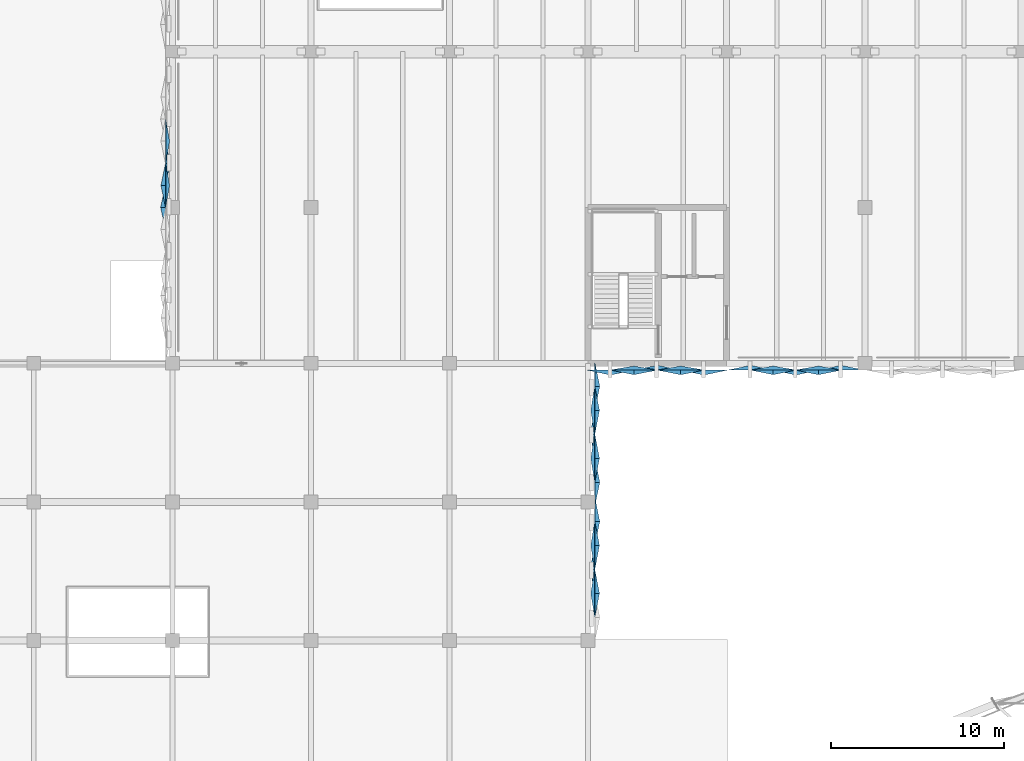
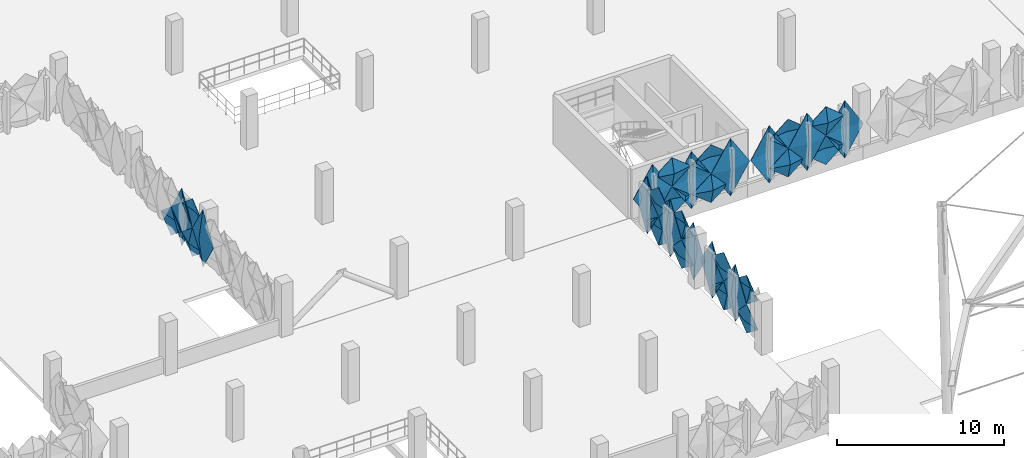
# One storey, part 65 of 96: 32 plates.
"""IFC4 building model written with IfcOpenShell, lengths in metres."""

from ifc_helpers import new_model, si_unit, derived_unit, direction, frame, origin, place, context, subcontext, project, spatial, polygons, material, layer, layer_set, type_object, element, save


model = new_model("IFC4")

# Units and contexts
model_context = context("Model", 3, precision=1e-05, world=origin(), true_north=direction((0.0, 1.0)))
body_context = subcontext(model_context, "Body", "Model", "MODEL_VIEW")
ifc_project = project(units=[si_unit("LENGTHUNIT", "METRE"), si_unit("AREAUNIT", "SQUARE_METRE"), si_unit("VOLUMEUNIT", "CUBIC_METRE"), si_unit("PLANEANGLEUNIT", "RADIAN"), si_unit("MASSUNIT", "GRAM", prefix="KILO"), si_unit("THERMODYNAMICTEMPERATUREUNIT", "KELVIN"), derived_unit("THERMALTRANSMITTANCEUNIT", [(si_unit("POWERUNIT", "WATT"), 1), (si_unit("AREAUNIT", "SQUARE_METRE"), -1), (si_unit("THERMODYNAMICTEMPERATUREUNIT", "KELVIN"), -1)])], contexts=[model_context])

# Site, building, storey
site_placement = place(None, origin())
site = spatial("IfcSite", under=ifc_project, at=site_placement, CompositionType="ELEMENT")
building_placement = place(site_placement, origin())
building = spatial("IfcBuilding", under=site, at=building_placement, Name="Haiyu Intermodal Mobility Hub", CompositionType="ELEMENT")
storey_placement = place(building_placement, frame((0.0, 0.0, 9.5)))
storey = spatial("IfcBuildingStorey", under=building, at=storey_placement, Name="L02", CompositionType="ELEMENT", Elevation=9.5)

# Plates
ifc_material = material(Name="Anodised aluminium 6063-T6", Category="aluminium")
ifc_layer_1 = layer(ifc_material, 0.01806640625)
ifc_layer_set_1 = layer_set([ifc_layer_1], Name="Anodised aluminium 6063-T6")
plate_type_1 = type_object("IfcPlateType", Name="PLT-FC01", PredefinedType="USERDEFINED", material=ifc_layer_set_1)
plate_1_placement = place(storey_placement, origin())
element("IfcPlate", 1, at=plate_1_placement, inside=storey, type_object=plate_type_1, Name="PLT-PYR-2047", ObjectType="FACADE CASSETTE", PredefinedType="USERDEFINED", context=body_context, shape_type="Tessellation", body=[
    polygons([(62.39990234375, 94.866943359375, -0.510009765625), (62.39990234375, 96.22998046875, 1.60009765625), (62.39990234375, 94.866943359375, 3.7099609375), (62.39990234375, 93.5029296875, 1.60009765625), (62.679931640625, 94.866943359375, 1.60009765625), (62.3779296875, 94.866943359375, -0.510009765625), (62.3779296875, 96.22998046875, 1.60009765625), (62.3779296875, 94.866943359375, 3.7099609375), (62.3779296875, 93.5029296875, 1.60009765625), (62.657958984375, 94.866943359375, 1.60009765625)], [[[1, 2, 5]], [[2, 3, 5]], [[3, 4, 5]], [[4, 1, 5]], [[7, 6, 10]], [[8, 7, 10]], [[9, 8, 10]], [[6, 9, 10]], [[1, 6, 7, 2]], [[2, 7, 8, 3]], [[3, 8, 9, 4]], [[4, 9, 6, 1]]], closed=True),
])
plate_2_placement = place(storey_placement, origin())
element("IfcPlate", 2, at=plate_2_placement, inside=storey, type_object=plate_type_1, Name="PLT-PYR-2054", ObjectType="FACADE CASSETTE", PredefinedType="USERDEFINED", context=body_context, shape_type="Tessellation", body=[
    polygons([(62.39990234375, 102.6669921875, -0.510009765625), (62.39990234375, 104.030029296875, 1.60009765625), (62.39990234375, 102.6669921875, 3.7099609375), (62.39990234375, 101.302978515625, 1.60009765625), (62.679931640625, 102.6669921875, 1.60009765625), (62.3779296875, 102.6669921875, -0.510009765625), (62.3779296875, 104.030029296875, 1.60009765625), (62.3779296875, 102.6669921875, 3.7099609375), (62.3779296875, 101.302978515625, 1.60009765625), (62.657958984375, 102.6669921875, 1.60009765625)], [[[1, 2, 5]], [[2, 3, 5]], [[3, 4, 5]], [[4, 1, 5]], [[7, 6, 10]], [[8, 7, 10]], [[9, 8, 10]], [[6, 9, 10]], [[1, 6, 7, 2]], [[2, 7, 8, 3]], [[3, 8, 9, 4]], [[4, 9, 6, 1]]], closed=True),
])
plate_3_placement = place(storey_placement, origin())
element("IfcPlate", 3, at=plate_3_placement, inside=storey, type_object=plate_type_1, Name="PLT-PYR-2210", ObjectType="FACADE CASSETTE", PredefinedType="USERDEFINED", context=body_context, shape_type="Tessellation", body=[
    polygons([(68.699951171875, 103.60009765625, -0.510009765625), (70.030029296875, 103.60009765625, 1.60009765625), (68.699951171875, 103.60009765625, 3.7099609375), (67.3701171875, 103.60009765625, 1.60009765625), (68.699951171875, 103.320068359375, 1.60009765625), (68.699951171875, 103.6220703125, -0.510009765625), (70.030029296875, 103.6220703125, 1.60009765625), (68.699951171875, 103.6220703125, 3.7099609375), (67.3701171875, 103.6220703125, 1.60009765625), (68.699951171875, 103.342041015625, 1.60009765625)], [[[1, 2, 5]], [[2, 3, 5]], [[3, 4, 5]], [[4, 1, 5]], [[7, 6, 10]], [[8, 7, 10]], [[9, 8, 10]], [[6, 9, 10]], [[1, 6, 7, 2]], [[2, 7, 8, 3]], [[3, 8, 9, 4]], [[4, 9, 6, 1]]], closed=True),
])
ifc_layer_2 = layer(ifc_material, 0.02001953125)
ifc_layer_set_2 = layer_set([ifc_layer_2], Name="Anodised aluminium 6063-T6")
plate_type_2 = type_object("IfcPlateType", Name="PLT-FC02", PredefinedType="USERDEFINED", material=ifc_layer_set_2)
plate_4_placement = place(storey_placement, origin())
element("IfcPlate", 4, at=plate_4_placement, inside=storey, type_object=plate_type_2, Name="PLT-PYR-0546", ObjectType="FACADE CASSETTE", PredefinedType="USERDEFINED", context=body_context, shape_type="Tessellation", body=[
    polygons([(37.60009765625, 115.549072265625, -0.510009765625), (37.60009765625, 114.2939453125, 1.60009765625), (37.60009765625, 115.549072265625, 3.7099609375), (37.60009765625, 116.802978515625, 1.60009765625), (37.860107421875, 115.549072265625, 1.60009765625), (37.6220703125, 115.549072265625, -0.510009765625), (37.6220703125, 114.2939453125, 1.60009765625), (37.6220703125, 115.549072265625, 3.7099609375), (37.6220703125, 116.802978515625, 1.60009765625), (37.882080078125, 115.549072265625, 1.60009765625)], [[[1, 2, 5]], [[2, 3, 5]], [[3, 4, 5]], [[4, 1, 5]], [[7, 6, 10]], [[8, 7, 10]], [[9, 8, 10]], [[6, 9, 10]], [[1, 6, 7, 2]], [[2, 7, 8, 3]], [[3, 8, 9, 4]], [[4, 9, 6, 1]]], closed=True),
])
plate_5_placement = place(storey_placement, origin())
element("IfcPlate", 5, at=plate_5_placement, inside=storey, type_object=plate_type_2, Name="PLT-PYR-0760", ObjectType="FACADE CASSETTE", PredefinedType="USERDEFINED", context=body_context, shape_type="Tessellation", body=[
    polygons([(76.613037109375, 103.60009765625, -0.510009765625), (77.89990234375, 103.60009765625, 1.60009765625), (76.613037109375, 103.60009765625, 3.7099609375), (75.326904296875, 103.60009765625, 1.60009765625), (76.613037109375, 103.860107421875, 1.60009765625), (76.613037109375, 103.6220703125, -0.510009765625), (77.89990234375, 103.6220703125, 1.60009765625), (76.613037109375, 103.6220703125, 3.7099609375), (75.326904296875, 103.6220703125, 1.60009765625), (76.613037109375, 103.882080078125, 1.60009765625)], [[[1, 2, 5]], [[2, 3, 5]], [[3, 4, 5]], [[4, 1, 5]], [[7, 6, 10]], [[8, 7, 10]], [[9, 8, 10]], [[6, 9, 10]], [[1, 6, 7, 2]], [[2, 7, 8, 3]], [[3, 8, 9, 4]], [[4, 9, 6, 1]]], closed=True),
])
ifc_layer_3 = layer(ifc_material, 0.01806640625)
ifc_layer_set_3 = layer_set([ifc_layer_3], Name="Anodised aluminium 6063-T6")
plate_type_3 = type_object("IfcPlateType", Name="PLT-FC03", PredefinedType="USERDEFINED", material=ifc_layer_set_3)
plate_6_placement = place(storey_placement, origin())
element("IfcPlate", 6, at=plate_6_placement, inside=storey, type_object=plate_type_3, Name="PLT-PYR-0549", ObjectType="FACADE CASSETTE", PredefinedType="USERDEFINED", context=body_context, shape_type="Tessellation", body=[
    polygons([(37.60009765625, 113.0, -0.510009765625), (37.60009765625, 111.74609375, 1.60009765625), (37.60009765625, 113.0, 3.7099609375), (37.60009765625, 114.25390625, 1.60009765625), (37.320068359375, 113.0, 1.60009765625), (37.6220703125, 113.0, -0.510009765625), (37.6220703125, 111.74609375, 1.60009765625), (37.6220703125, 113.0, 3.7099609375), (37.6220703125, 114.25390625, 1.60009765625), (37.342041015625, 113.0, 1.60009765625)], [[[1, 2, 5]], [[2, 3, 5]], [[3, 4, 5]], [[4, 1, 5]], [[7, 6, 10]], [[8, 7, 10]], [[9, 8, 10]], [[6, 9, 10]], [[1, 6, 7, 2]], [[2, 7, 8, 3]], [[3, 8, 9, 4]], [[4, 9, 6, 1]]], closed=True),
])
ifc_layer_4 = layer(ifc_material, 0.01806640625)
ifc_layer_set_4 = layer_set([ifc_layer_4], Name="Anodised aluminium 6063-T6")
plate_type_4 = type_object("IfcPlateType", Name="PLT-FC05", PredefinedType="USERDEFINED", material=ifc_layer_set_4)
plate_7_placement = place(storey_placement, origin())
element("IfcPlate", 7, at=plate_7_placement, inside=storey, type_object=plate_type_4, Name="PLT-PYR-0547", ObjectType="FACADE CASSETTE", PredefinedType="USERDEFINED", context=body_context, shape_type="Tessellation", body=[
    polygons([(37.60009765625, 114.27392578125, -0.52001953125), (37.60009765625, 113.02001953125, 0.530029296875), (37.60009765625, 114.27392578125, 1.580078125), (37.60009765625, 115.529052734375, 0.530029296875), (37.340087890625, 114.27392578125, 0.530029296875), (37.6220703125, 114.27392578125, -0.52001953125), (37.6220703125, 113.02001953125, 0.530029296875), (37.6220703125, 114.27392578125, 1.580078125), (37.6220703125, 115.529052734375, 0.530029296875), (37.362060546875, 114.27392578125, 0.530029296875)], [[[1, 2, 5]], [[2, 3, 5]], [[3, 4, 5]], [[4, 1, 5]], [[7, 6, 10]], [[8, 7, 10]], [[9, 8, 10]], [[6, 9, 10]], [[1, 6, 7, 2]], [[2, 7, 8, 3]], [[3, 8, 9, 4]], [[4, 9, 6, 1]]], closed=True),
])
plate_8_placement = place(storey_placement, origin())
element("IfcPlate", 8, at=plate_8_placement, inside=storey, type_object=plate_type_4, Name="PLT-PYR-0755", ObjectType="FACADE CASSETTE", PredefinedType="USERDEFINED", context=body_context, shape_type="Tessellation", body=[
    polygons([(72.693115234375, 103.60009765625, -0.52001953125), (73.97998046875, 103.60009765625, 0.530029296875), (72.693115234375, 103.60009765625, 1.580078125), (71.406982421875, 103.60009765625, 0.530029296875), (72.693115234375, 103.340087890625, 0.530029296875), (72.693115234375, 103.6220703125, -0.52001953125), (73.97998046875, 103.6220703125, 0.530029296875), (72.693115234375, 103.6220703125, 1.580078125), (71.406982421875, 103.6220703125, 0.530029296875), (72.693115234375, 103.362060546875, 0.530029296875)], [[[1, 2, 5]], [[2, 3, 5]], [[3, 4, 5]], [[4, 1, 5]], [[7, 6, 10]], [[8, 7, 10]], [[9, 8, 10]], [[6, 9, 10]], [[1, 6, 7, 2]], [[2, 7, 8, 3]], [[3, 8, 9, 4]], [[4, 9, 6, 1]]], closed=True),
])
plate_9_placement = place(storey_placement, origin())
element("IfcPlate", 9, at=plate_9_placement, inside=storey, type_object=plate_type_4, Name="PLT-PYR-2045", ObjectType="FACADE CASSETTE", PredefinedType="USERDEFINED", context=body_context, shape_type="Tessellation", body=[
    polygons([(62.39990234375, 93.48291015625, -0.52001953125), (62.39990234375, 94.846923828125, 0.530029296875), (62.39990234375, 93.48291015625, 1.580078125), (62.39990234375, 92.1201171875, 0.530029296875), (62.659912109375, 93.48291015625, 0.530029296875), (62.3779296875, 93.48291015625, -0.52001953125), (62.3779296875, 94.846923828125, 0.530029296875), (62.3779296875, 93.48291015625, 1.580078125), (62.3779296875, 92.1201171875, 0.530029296875), (62.637939453125, 93.48291015625, 0.530029296875)], [[[1, 2, 5]], [[2, 3, 5]], [[3, 4, 5]], [[4, 1, 5]], [[7, 6, 10]], [[8, 7, 10]], [[9, 8, 10]], [[6, 9, 10]], [[1, 6, 7, 2]], [[2, 7, 8, 3]], [[3, 8, 9, 4]], [[4, 9, 6, 1]]], closed=True),
])
plate_10_placement = place(storey_placement, origin())
element("IfcPlate", 10, at=plate_10_placement, inside=storey, type_object=plate_type_4, Name="PLT-PYR-2048", ObjectType="FACADE CASSETTE", PredefinedType="USERDEFINED", context=body_context, shape_type="Tessellation", body=[
    polygons([(62.39990234375, 97.133056640625, -0.510009765625), (62.39990234375, 98.4970703125, 1.60009765625), (62.39990234375, 97.133056640625, 3.7099609375), (62.39990234375, 95.77001953125, 1.60009765625), (62.679931640625, 97.133056640625, 1.60009765625), (62.3779296875, 97.133056640625, -0.510009765625), (62.3779296875, 98.4970703125, 1.60009765625), (62.3779296875, 97.133056640625, 3.7099609375), (62.3779296875, 95.77001953125, 1.60009765625), (62.657958984375, 97.133056640625, 1.60009765625)], [[[1, 2, 5]], [[2, 3, 5]], [[3, 4, 5]], [[4, 1, 5]], [[7, 6, 10]], [[8, 7, 10]], [[9, 8, 10]], [[6, 9, 10]], [[1, 6, 7, 2]], [[2, 7, 8, 3]], [[3, 8, 9, 4]], [[4, 9, 6, 1]]], closed=True),
])
plate_11_placement = place(storey_placement, origin())
element("IfcPlate", 11, at=plate_11_placement, inside=storey, type_object=plate_type_4, Name="PLT-PYR-2052", ObjectType="FACADE CASSETTE", PredefinedType="USERDEFINED", context=body_context, shape_type="Tessellation", body=[
    polygons([(62.39990234375, 101.282958984375, -0.52001953125), (62.39990234375, 102.64697265625, 0.530029296875), (62.39990234375, 101.282958984375, 1.580078125), (62.39990234375, 99.919921875, 0.530029296875), (62.659912109375, 101.282958984375, 0.530029296875), (62.3779296875, 101.282958984375, -0.52001953125), (62.3779296875, 102.64697265625, 0.530029296875), (62.3779296875, 101.282958984375, 1.580078125), (62.3779296875, 99.919921875, 0.530029296875), (62.637939453125, 101.282958984375, 0.530029296875)], [[[1, 2, 5]], [[2, 3, 5]], [[3, 4, 5]], [[4, 1, 5]], [[7, 6, 10]], [[8, 7, 10]], [[9, 8, 10]], [[6, 9, 10]], [[1, 6, 7, 2]], [[2, 7, 8, 3]], [[3, 8, 9, 4]], [[4, 9, 6, 1]]], closed=True),
])
plate_12_placement = place(storey_placement, origin())
element("IfcPlate", 12, at=plate_12_placement, inside=storey, type_object=plate_type_4, Name="PLT-PYR-2204", ObjectType="FACADE CASSETTE", PredefinedType="USERDEFINED", context=body_context, shape_type="Tessellation", body=[
    polygons([(63.300048828125, 103.60009765625, -0.510009765625), (64.6298828125, 103.60009765625, 1.60009765625), (63.300048828125, 103.60009765625, 3.7099609375), (61.969970703125, 103.60009765625, 1.60009765625), (63.300048828125, 103.320068359375, 1.60009765625), (63.300048828125, 103.6220703125, -0.510009765625), (64.6298828125, 103.6220703125, 1.60009765625), (63.300048828125, 103.6220703125, 3.7099609375), (61.969970703125, 103.6220703125, 1.60009765625), (63.300048828125, 103.342041015625, 1.60009765625)], [[[1, 2, 5]], [[2, 3, 5]], [[3, 4, 5]], [[4, 1, 5]], [[7, 6, 10]], [[8, 7, 10]], [[9, 8, 10]], [[6, 9, 10]], [[1, 6, 7, 2]], [[2, 7, 8, 3]], [[3, 8, 9, 4]], [[4, 9, 6, 1]]], closed=True),
])
plate_13_placement = place(storey_placement, origin())
element("IfcPlate", 13, at=plate_13_placement, inside=storey, type_object=plate_type_4, Name="PLT-PYR-2208", ObjectType="FACADE CASSETTE", PredefinedType="USERDEFINED", context=body_context, shape_type="Tessellation", body=[
    polygons([(67.35009765625, 103.60009765625, -0.52001953125), (68.679931640625, 103.60009765625, 0.530029296875), (67.35009765625, 103.60009765625, 1.580078125), (66.02001953125, 103.60009765625, 0.530029296875), (67.35009765625, 103.340087890625, 0.530029296875), (67.35009765625, 103.6220703125, -0.52001953125), (68.679931640625, 103.6220703125, 0.530029296875), (67.35009765625, 103.6220703125, 1.580078125), (66.02001953125, 103.6220703125, 0.530029296875), (67.35009765625, 103.362060546875, 0.530029296875)], [[[1, 2, 5]], [[2, 3, 5]], [[3, 4, 5]], [[4, 1, 5]], [[7, 6, 10]], [[8, 7, 10]], [[9, 8, 10]], [[6, 9, 10]], [[1, 6, 7, 2]], [[2, 7, 8, 3]], [[3, 8, 9, 4]], [[4, 9, 6, 1]]], closed=True),
])
ifc_layer_5 = layer(ifc_material, 0.02001953125)
ifc_layer_set_5 = layer_set([ifc_layer_5], Name="Anodised aluminium 6063-T6")
plate_type_5 = type_object("IfcPlateType", Name="PLT-FC06", PredefinedType="USERDEFINED", material=ifc_layer_set_5)
plate_14_placement = place(storey_placement, origin())
element("IfcPlate", 14, at=plate_14_placement, inside=storey, type_object=plate_type_5, Name="PLT-PYR-0544", ObjectType="FACADE CASSETTE", PredefinedType="USERDEFINED", context=body_context, shape_type="Tessellation", body=[
    polygons([(37.60009765625, 116.822998046875, -0.52001953125), (37.60009765625, 115.569091796875, 0.530029296875), (37.60009765625, 116.822998046875, 1.580078125), (37.60009765625, 118.076904296875, 0.530029296875), (37.820068359375, 116.822998046875, 0.530029296875), (37.6220703125, 116.822998046875, -0.52001953125), (37.6220703125, 115.569091796875, 0.530029296875), (37.6220703125, 116.822998046875, 1.580078125), (37.6220703125, 118.076904296875, 0.530029296875), (37.842041015625, 116.822998046875, 0.530029296875)], [[[1, 2, 5]], [[2, 3, 5]], [[3, 4, 5]], [[4, 1, 5]], [[7, 6, 10]], [[8, 7, 10]], [[9, 8, 10]], [[6, 9, 10]], [[1, 6, 7, 2]], [[2, 7, 8, 3]], [[3, 8, 9, 4]], [[4, 9, 6, 1]]], closed=True),
])
plate_15_placement = place(storey_placement, origin())
element("IfcPlate", 15, at=plate_15_placement, inside=storey, type_object=plate_type_5, Name="PLT-PYR-0754", ObjectType="FACADE CASSETTE", PredefinedType="USERDEFINED", context=body_context, shape_type="Tessellation", body=[
    polygons([(71.386962890625, 103.60009765625, -0.510009765625), (72.673095703125, 103.60009765625, 1.60009765625), (71.386962890625, 103.60009765625, 3.7099609375), (70.10009765625, 103.60009765625, 1.60009765625), (71.386962890625, 103.860107421875, 1.60009765625), (71.386962890625, 103.6220703125, -0.510009765625), (72.673095703125, 103.6220703125, 1.60009765625), (71.386962890625, 103.6220703125, 3.7099609375), (70.10009765625, 103.6220703125, 1.60009765625), (71.386962890625, 103.882080078125, 1.60009765625)], [[[1, 2, 5]], [[2, 3, 5]], [[3, 4, 5]], [[4, 1, 5]], [[7, 6, 10]], [[8, 7, 10]], [[9, 8, 10]], [[6, 9, 10]], [[1, 6, 7, 2]], [[2, 7, 8, 3]], [[3, 8, 9, 4]], [[4, 9, 6, 1]]], closed=True),
])
plate_16_placement = place(storey_placement, origin())
element("IfcPlate", 16, at=plate_16_placement, inside=storey, type_object=plate_type_5, Name="PLT-PYR-0758", ObjectType="FACADE CASSETTE", PredefinedType="USERDEFINED", context=body_context, shape_type="Tessellation", body=[
    polygons([(75.306884765625, 103.60009765625, -0.52001953125), (76.593017578125, 103.60009765625, 0.530029296875), (75.306884765625, 103.60009765625, 1.580078125), (74.02001953125, 103.60009765625, 0.530029296875), (75.306884765625, 103.820068359375, 0.530029296875), (75.306884765625, 103.6220703125, -0.52001953125), (76.593017578125, 103.6220703125, 0.530029296875), (75.306884765625, 103.6220703125, 1.580078125), (74.02001953125, 103.6220703125, 0.530029296875), (75.306884765625, 103.842041015625, 0.530029296875)], [[[1, 2, 5]], [[2, 3, 5]], [[3, 4, 5]], [[4, 1, 5]], [[7, 6, 10]], [[8, 7, 10]], [[9, 8, 10]], [[6, 9, 10]], [[1, 6, 7, 2]], [[2, 7, 8, 3]], [[3, 8, 9, 4]], [[4, 9, 6, 1]]], closed=True),
])
plate_17_placement = place(storey_placement, origin())
element("IfcPlate", 17, at=plate_17_placement, inside=storey, type_object=plate_type_5, Name="PLT-PYR-2042", ObjectType="FACADE CASSETTE", PredefinedType="USERDEFINED", context=body_context, shape_type="Tessellation", body=[
    polygons([(62.39990234375, 90.717041015625, -0.52001953125), (62.39990234375, 92.080078125, 0.530029296875), (62.39990234375, 90.717041015625, 1.580078125), (62.39990234375, 89.35302734375, 0.530029296875), (62.179931640625, 90.717041015625, 0.530029296875), (62.3779296875, 90.717041015625, -0.52001953125), (62.3779296875, 92.080078125, 0.530029296875), (62.3779296875, 90.717041015625, 1.580078125), (62.3779296875, 89.35302734375, 0.530029296875), (62.157958984375, 90.717041015625, 0.530029296875)], [[[1, 2, 5]], [[2, 3, 5]], [[3, 4, 5]], [[4, 1, 5]], [[7, 6, 10]], [[8, 7, 10]], [[9, 8, 10]], [[6, 9, 10]], [[1, 6, 7, 2]], [[2, 7, 8, 3]], [[3, 8, 9, 4]], [[4, 9, 6, 1]]], closed=True),
])
plate_18_placement = place(storey_placement, origin())
element("IfcPlate", 18, at=plate_18_placement, inside=storey, type_object=plate_type_5, Name="PLT-PYR-2049", ObjectType="FACADE CASSETTE", PredefinedType="USERDEFINED", context=body_context, shape_type="Tessellation", body=[
    polygons([(62.39990234375, 98.51708984375, -0.52001953125), (62.39990234375, 99.8798828125, 0.530029296875), (62.39990234375, 98.51708984375, 1.580078125), (62.39990234375, 97.153076171875, 0.530029296875), (62.179931640625, 98.51708984375, 0.530029296875), (62.3779296875, 98.51708984375, -0.52001953125), (62.3779296875, 99.8798828125, 0.530029296875), (62.3779296875, 98.51708984375, 1.580078125), (62.3779296875, 97.153076171875, 0.530029296875), (62.157958984375, 98.51708984375, 0.530029296875)], [[[1, 2, 5]], [[2, 3, 5]], [[3, 4, 5]], [[4, 1, 5]], [[7, 6, 10]], [[8, 7, 10]], [[9, 8, 10]], [[6, 9, 10]], [[1, 6, 7, 2]], [[2, 7, 8, 3]], [[3, 8, 9, 4]], [[4, 9, 6, 1]]], closed=True),
])
plate_19_placement = place(storey_placement, origin())
element("IfcPlate", 19, at=plate_19_placement, inside=storey, type_object=plate_type_5, Name="PLT-PYR-2205", ObjectType="FACADE CASSETTE", PredefinedType="USERDEFINED", context=body_context, shape_type="Tessellation", body=[
    polygons([(64.64990234375, 103.60009765625, -0.52001953125), (65.97998046875, 103.60009765625, 0.530029296875), (64.64990234375, 103.60009765625, 1.580078125), (63.320068359375, 103.60009765625, 0.530029296875), (64.64990234375, 103.820068359375, 0.530029296875), (64.64990234375, 103.6220703125, -0.52001953125), (65.97998046875, 103.6220703125, 0.530029296875), (64.64990234375, 103.6220703125, 1.580078125), (63.320068359375, 103.6220703125, 0.530029296875), (64.64990234375, 103.842041015625, 0.530029296875)], [[[1, 2, 5]], [[2, 3, 5]], [[3, 4, 5]], [[4, 1, 5]], [[7, 6, 10]], [[8, 7, 10]], [[9, 8, 10]], [[6, 9, 10]], [[1, 6, 7, 2]], [[2, 7, 8, 3]], [[3, 8, 9, 4]], [[4, 9, 6, 1]]], closed=True),
])
ifc_layer_6 = layer(ifc_material, 0.02197265625)
ifc_layer_set_6 = layer_set([ifc_layer_6], Name="Anodised aluminium 6063-T6")
plate_type_6 = type_object("IfcPlateType", Name="PLT-FC07", PredefinedType="USERDEFINED", material=ifc_layer_set_6)
plate_20_placement = place(storey_placement, origin())
element("IfcPlate", 20, at=plate_20_placement, inside=storey, type_object=plate_type_6, Name="PLT-PYR-0757", ObjectType="FACADE CASSETTE", PredefinedType="USERDEFINED", context=body_context, shape_type="Tessellation", body=[
    polygons([(74.0, 103.60009765625, -0.510009765625), (75.287109375, 103.60009765625, 1.60009765625), (74.0, 103.60009765625, 3.7099609375), (72.712890625, 103.60009765625, 1.60009765625), (74.0, 103.320068359375, 1.60009765625), (74.0, 103.6220703125, -0.510009765625), (75.287109375, 103.6220703125, 1.60009765625), (74.0, 103.6220703125, 3.7099609375), (72.712890625, 103.6220703125, 1.60009765625), (74.0, 103.342041015625, 1.60009765625)], [[[1, 2, 5]], [[2, 3, 5]], [[3, 4, 5]], [[4, 1, 5]], [[7, 6, 10]], [[8, 7, 10]], [[9, 8, 10]], [[6, 9, 10]], [[1, 6, 7, 2]], [[2, 7, 8, 3]], [[3, 8, 9, 4]], [[4, 9, 6, 1]]], closed=True),
])
plate_21_placement = place(storey_placement, origin())
element("IfcPlate", 21, at=plate_21_placement, inside=storey, type_object=plate_type_6, Name="PLT-PYR-0759", ObjectType="FACADE CASSETTE", PredefinedType="USERDEFINED", context=body_context, shape_type="Tessellation", body=[
    polygons([(75.306884765625, 103.60009765625, 1.6201171875), (76.593017578125, 103.60009765625, 2.669921875), (75.306884765625, 103.60009765625, 3.719970703125), (74.02001953125, 103.60009765625, 2.669921875), (75.306884765625, 103.340087890625, 2.669921875), (75.306884765625, 103.6220703125, 1.6201171875), (76.593017578125, 103.6220703125, 2.669921875), (75.306884765625, 103.6220703125, 3.719970703125), (74.02001953125, 103.6220703125, 2.669921875), (75.306884765625, 103.362060546875, 2.669921875)], [[[1, 2, 5]], [[2, 3, 5]], [[3, 4, 5]], [[4, 1, 5]], [[7, 6, 10]], [[8, 7, 10]], [[9, 8, 10]], [[6, 9, 10]], [[1, 6, 7, 2]], [[2, 7, 8, 3]], [[3, 8, 9, 4]], [[4, 9, 6, 1]]], closed=True),
])
plate_22_placement = place(storey_placement, origin())
element("IfcPlate", 22, at=plate_22_placement, inside=storey, type_object=plate_type_6, Name="PLT-PYR-2043", ObjectType="FACADE CASSETTE", PredefinedType="USERDEFINED", context=body_context, shape_type="Tessellation", body=[
    polygons([(62.39990234375, 90.717041015625, 1.6201171875), (62.39990234375, 92.080078125, 2.669921875), (62.39990234375, 90.717041015625, 3.719970703125), (62.39990234375, 89.35302734375, 2.669921875), (62.659912109375, 90.717041015625, 2.669921875), (62.3779296875, 90.717041015625, 1.6201171875), (62.3779296875, 92.080078125, 2.669921875), (62.3779296875, 90.717041015625, 3.719970703125), (62.3779296875, 89.35302734375, 2.669921875), (62.637939453125, 90.717041015625, 2.669921875)], [[[1, 2, 5]], [[2, 3, 5]], [[3, 4, 5]], [[4, 1, 5]], [[7, 6, 10]], [[8, 7, 10]], [[9, 8, 10]], [[6, 9, 10]], [[1, 6, 7, 2]], [[2, 7, 8, 3]], [[3, 8, 9, 4]], [[4, 9, 6, 1]]], closed=True),
])
plate_23_placement = place(storey_placement, origin())
element("IfcPlate", 23, at=plate_23_placement, inside=storey, type_object=plate_type_6, Name="PLT-PYR-2050", ObjectType="FACADE CASSETTE", PredefinedType="USERDEFINED", context=body_context, shape_type="Tessellation", body=[
    polygons([(62.39990234375, 98.51708984375, 1.6201171875), (62.39990234375, 99.8798828125, 2.669921875), (62.39990234375, 98.51708984375, 3.719970703125), (62.39990234375, 97.153076171875, 2.669921875), (62.659912109375, 98.51708984375, 2.669921875), (62.3779296875, 98.51708984375, 1.6201171875), (62.3779296875, 99.8798828125, 2.669921875), (62.3779296875, 98.51708984375, 3.719970703125), (62.3779296875, 97.153076171875, 2.669921875), (62.637939453125, 98.51708984375, 2.669921875)], [[[1, 2, 5]], [[2, 3, 5]], [[3, 4, 5]], [[4, 1, 5]], [[7, 6, 10]], [[8, 7, 10]], [[9, 8, 10]], [[6, 9, 10]], [[1, 6, 7, 2]], [[2, 7, 8, 3]], [[3, 8, 9, 4]], [[4, 9, 6, 1]]], closed=True),
])
plate_24_placement = place(storey_placement, origin())
element("IfcPlate", 24, at=plate_24_placement, inside=storey, type_object=plate_type_6, Name="PLT-PYR-2206", ObjectType="FACADE CASSETTE", PredefinedType="USERDEFINED", context=body_context, shape_type="Tessellation", body=[
    polygons([(64.64990234375, 103.60009765625, 1.6201171875), (65.97998046875, 103.60009765625, 2.669921875), (64.64990234375, 103.60009765625, 3.719970703125), (63.320068359375, 103.60009765625, 2.669921875), (64.64990234375, 103.340087890625, 2.669921875), (64.64990234375, 103.6220703125, 1.6201171875), (65.97998046875, 103.6220703125, 2.669921875), (64.64990234375, 103.6220703125, 3.719970703125), (63.320068359375, 103.6220703125, 2.669921875), (64.64990234375, 103.362060546875, 2.669921875)], [[[1, 2, 5]], [[2, 3, 5]], [[3, 4, 5]], [[4, 1, 5]], [[7, 6, 10]], [[8, 7, 10]], [[9, 8, 10]], [[6, 9, 10]], [[1, 6, 7, 2]], [[2, 7, 8, 3]], [[3, 8, 9, 4]], [[4, 9, 6, 1]]], closed=True),
])
ifc_layer_7 = layer(ifc_material, 0.02392578125)
ifc_layer_set_7 = layer_set([ifc_layer_7], Name="Anodised aluminium 6063-T6")
plate_type_7 = type_object("IfcPlateType", Name="PLT-FC08", PredefinedType="USERDEFINED", material=ifc_layer_set_7)
plate_25_placement = place(storey_placement, origin())
element("IfcPlate", 25, at=plate_25_placement, inside=storey, type_object=plate_type_7, Name="PLT-PYR-0548", ObjectType="FACADE CASSETTE", PredefinedType="USERDEFINED", context=body_context, shape_type="Tessellation", body=[
    polygons([(37.60009765625, 114.27392578125, 1.6201171875), (37.60009765625, 113.02001953125, 2.669921875), (37.60009765625, 114.27392578125, 3.719970703125), (37.60009765625, 115.529052734375, 2.669921875), (37.820068359375, 114.27392578125, 2.669921875), (37.6220703125, 114.27392578125, 1.6201171875), (37.6220703125, 113.02001953125, 2.669921875), (37.6220703125, 114.27392578125, 3.719970703125), (37.6220703125, 115.529052734375, 2.669921875), (37.842041015625, 114.27392578125, 2.669921875)], [[[1, 2, 5]], [[2, 3, 5]], [[3, 4, 5]], [[4, 1, 5]], [[7, 6, 10]], [[8, 7, 10]], [[9, 8, 10]], [[6, 9, 10]], [[1, 6, 7, 2]], [[2, 7, 8, 3]], [[3, 8, 9, 4]], [[4, 9, 6, 1]]], closed=True),
])
plate_26_placement = place(storey_placement, origin())
element("IfcPlate", 26, at=plate_26_placement, inside=storey, type_object=plate_type_7, Name="PLT-PYR-0756", ObjectType="FACADE CASSETTE", PredefinedType="USERDEFINED", context=body_context, shape_type="Tessellation", body=[
    polygons([(72.693115234375, 103.60009765625, 1.6201171875), (73.97998046875, 103.60009765625, 2.669921875), (72.693115234375, 103.60009765625, 3.719970703125), (71.406982421875, 103.60009765625, 2.669921875), (72.693115234375, 103.820068359375, 2.669921875), (72.693115234375, 103.6220703125, 1.6201171875), (73.97998046875, 103.6220703125, 2.669921875), (72.693115234375, 103.6220703125, 3.719970703125), (71.406982421875, 103.6220703125, 2.669921875), (72.693115234375, 103.842041015625, 2.669921875)], [[[1, 2, 5]], [[2, 3, 5]], [[3, 4, 5]], [[4, 1, 5]], [[7, 6, 10]], [[8, 7, 10]], [[9, 8, 10]], [[6, 9, 10]], [[1, 6, 7, 2]], [[2, 7, 8, 3]], [[3, 8, 9, 4]], [[4, 9, 6, 1]]], closed=True),
])
plate_27_placement = place(storey_placement, origin())
element("IfcPlate", 27, at=plate_27_placement, inside=storey, type_object=plate_type_7, Name="PLT-PYR-2044", ObjectType="FACADE CASSETTE", PredefinedType="USERDEFINED", context=body_context, shape_type="Tessellation", body=[
    polygons([(62.39990234375, 92.10009765625, -0.510009765625), (62.39990234375, 93.462890625, 1.60009765625), (62.39990234375, 92.10009765625, 3.7099609375), (62.39990234375, 90.737060546875, 1.60009765625), (62.139892578125, 92.10009765625, 1.60009765625), (62.3779296875, 92.10009765625, -0.510009765625), (62.3779296875, 93.462890625, 1.60009765625), (62.3779296875, 92.10009765625, 3.7099609375), (62.3779296875, 90.737060546875, 1.60009765625), (62.117919921875, 92.10009765625, 1.60009765625)], [[[1, 2, 5]], [[2, 3, 5]], [[3, 4, 5]], [[4, 1, 5]], [[7, 6, 10]], [[8, 7, 10]], [[9, 8, 10]], [[6, 9, 10]], [[1, 6, 7, 2]], [[2, 7, 8, 3]], [[3, 8, 9, 4]], [[4, 9, 6, 1]]], closed=True),
])
plate_28_placement = place(storey_placement, origin())
element("IfcPlate", 28, at=plate_28_placement, inside=storey, type_object=plate_type_7, Name="PLT-PYR-2046", ObjectType="FACADE CASSETTE", PredefinedType="USERDEFINED", context=body_context, shape_type="Tessellation", body=[
    polygons([(62.39990234375, 93.48291015625, 1.6201171875), (62.39990234375, 94.846923828125, 2.669921875), (62.39990234375, 93.48291015625, 3.719970703125), (62.39990234375, 92.1201171875, 2.669921875), (62.179931640625, 93.48291015625, 2.669921875), (62.3779296875, 93.48291015625, 1.6201171875), (62.3779296875, 94.846923828125, 2.669921875), (62.3779296875, 93.48291015625, 3.719970703125), (62.3779296875, 92.1201171875, 2.669921875), (62.157958984375, 93.48291015625, 2.669921875)], [[[1, 2, 5]], [[2, 3, 5]], [[3, 4, 5]], [[4, 1, 5]], [[7, 6, 10]], [[8, 7, 10]], [[9, 8, 10]], [[6, 9, 10]], [[1, 6, 7, 2]], [[2, 7, 8, 3]], [[3, 8, 9, 4]], [[4, 9, 6, 1]]], closed=True),
])
plate_29_placement = place(storey_placement, origin())
element("IfcPlate", 29, at=plate_29_placement, inside=storey, type_object=plate_type_7, Name="PLT-PYR-2051", ObjectType="FACADE CASSETTE", PredefinedType="USERDEFINED", context=body_context, shape_type="Tessellation", body=[
    polygons([(62.39990234375, 99.89990234375, -0.510009765625), (62.39990234375, 101.262939453125, 1.60009765625), (62.39990234375, 99.89990234375, 3.7099609375), (62.39990234375, 98.537109375, 1.60009765625), (62.139892578125, 99.89990234375, 1.60009765625), (62.3779296875, 99.89990234375, -0.510009765625), (62.3779296875, 101.262939453125, 1.60009765625), (62.3779296875, 99.89990234375, 3.7099609375), (62.3779296875, 98.537109375, 1.60009765625), (62.117919921875, 99.89990234375, 1.60009765625)], [[[1, 2, 5]], [[2, 3, 5]], [[3, 4, 5]], [[4, 1, 5]], [[7, 6, 10]], [[8, 7, 10]], [[9, 8, 10]], [[6, 9, 10]], [[1, 6, 7, 2]], [[2, 7, 8, 3]], [[3, 8, 9, 4]], [[4, 9, 6, 1]]], closed=True),
])
plate_30_placement = place(storey_placement, origin())
element("IfcPlate", 30, at=plate_30_placement, inside=storey, type_object=plate_type_7, Name="PLT-PYR-2053", ObjectType="FACADE CASSETTE", PredefinedType="USERDEFINED", context=body_context, shape_type="Tessellation", body=[
    polygons([(62.39990234375, 101.282958984375, 1.6201171875), (62.39990234375, 102.64697265625, 2.669921875), (62.39990234375, 101.282958984375, 3.719970703125), (62.39990234375, 99.919921875, 2.669921875), (62.179931640625, 101.282958984375, 2.669921875), (62.3779296875, 101.282958984375, 1.6201171875), (62.3779296875, 102.64697265625, 2.669921875), (62.3779296875, 101.282958984375, 3.719970703125), (62.3779296875, 99.919921875, 2.669921875), (62.157958984375, 101.282958984375, 2.669921875)], [[[1, 2, 5]], [[2, 3, 5]], [[3, 4, 5]], [[4, 1, 5]], [[7, 6, 10]], [[8, 7, 10]], [[9, 8, 10]], [[6, 9, 10]], [[1, 6, 7, 2]], [[2, 7, 8, 3]], [[3, 8, 9, 4]], [[4, 9, 6, 1]]], closed=True),
])
plate_31_placement = place(storey_placement, origin())
element("IfcPlate", 31, at=plate_31_placement, inside=storey, type_object=plate_type_7, Name="PLT-PYR-2207", ObjectType="FACADE CASSETTE", PredefinedType="USERDEFINED", context=body_context, shape_type="Tessellation", body=[
    polygons([(66.0, 103.60009765625, -0.510009765625), (67.330078125, 103.60009765625, 1.60009765625), (66.0, 103.60009765625, 3.7099609375), (64.669921875, 103.60009765625, 1.60009765625), (66.0, 103.860107421875, 1.60009765625), (66.0, 103.6220703125, -0.510009765625), (67.330078125, 103.6220703125, 1.60009765625), (66.0, 103.6220703125, 3.7099609375), (64.669921875, 103.6220703125, 1.60009765625), (66.0, 103.882080078125, 1.60009765625)], [[[1, 2, 5]], [[2, 3, 5]], [[3, 4, 5]], [[4, 1, 5]], [[7, 6, 10]], [[8, 7, 10]], [[9, 8, 10]], [[6, 9, 10]], [[1, 6, 7, 2]], [[2, 7, 8, 3]], [[3, 8, 9, 4]], [[4, 9, 6, 1]]], closed=True),
])
plate_32_placement = place(storey_placement, origin())
element("IfcPlate", 32, at=plate_32_placement, inside=storey, type_object=plate_type_7, Name="PLT-PYR-2209", ObjectType="FACADE CASSETTE", PredefinedType="USERDEFINED", context=body_context, shape_type="Tessellation", body=[
    polygons([(67.35009765625, 103.60009765625, 1.6201171875), (68.679931640625, 103.60009765625, 2.669921875), (67.35009765625, 103.60009765625, 3.719970703125), (66.02001953125, 103.60009765625, 2.669921875), (67.35009765625, 103.820068359375, 2.669921875), (67.35009765625, 103.6220703125, 1.6201171875), (68.679931640625, 103.6220703125, 2.669921875), (67.35009765625, 103.6220703125, 3.719970703125), (66.02001953125, 103.6220703125, 2.669921875), (67.35009765625, 103.842041015625, 2.669921875)], [[[1, 2, 5]], [[2, 3, 5]], [[3, 4, 5]], [[4, 1, 5]], [[7, 6, 10]], [[8, 7, 10]], [[9, 8, 10]], [[6, 9, 10]], [[1, 6, 7, 2]], [[2, 7, 8, 3]], [[3, 8, 9, 4]], [[4, 9, 6, 1]]], closed=True),
])

save(model, "model.ifc")
